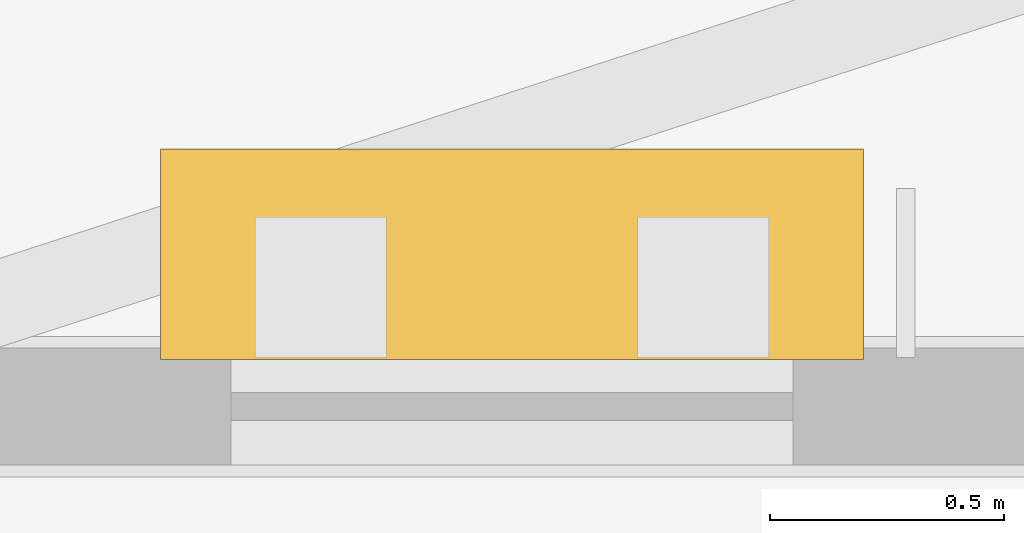
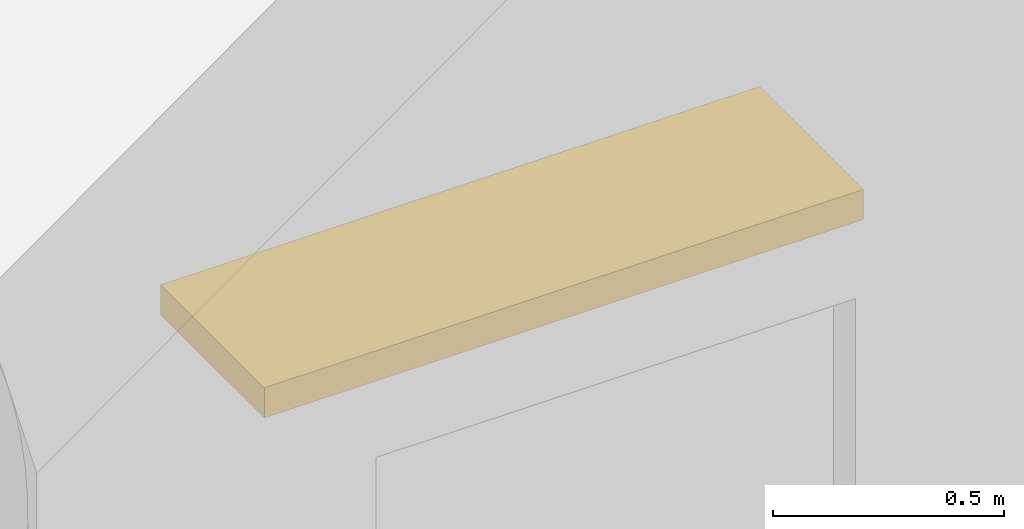
# One storey, part 123 of 123: 1 shading device.
"""IFC4 building model written with IfcOpenShell, lengths in metres."""

from ifc_helpers import new_model, si_unit, direction, frame, origin, origin_2d, place, context, subcontext, project, spatial, rectangle, extrude, material, type_object, element, save


model = new_model("IFC4")

# Units and contexts
model_context = context("Model", 3, precision=1e-05, world=origin(), true_north=direction((0.0, 1.0)))
body_context = subcontext(model_context, "Body", "Model", "MODEL_VIEW")
ifc_project = project(units=[si_unit("LENGTHUNIT", "METRE"), si_unit("AREAUNIT", "SQUARE_METRE"), si_unit("VOLUMEUNIT", "CUBIC_METRE"), si_unit("PLANEANGLEUNIT", "RADIAN"), si_unit("MASSUNIT", "GRAM", prefix="KILO")], contexts=[model_context])

# Site, building, storey
site_placement = place(None, origin())
site = spatial("IfcSite", under=ifc_project, at=site_placement, CompositionType="ELEMENT")
building_placement = place(site_placement, origin())
building = spatial("IfcBuilding", under=site, at=building_placement, Name="Tenunan Teduh Sports Hall", CompositionType="ELEMENT")
storey_placement = place(building_placement, origin())
storey = spatial("IfcBuildingStorey", under=building, at=storey_placement, Name="L00", CompositionType="ELEMENT", Elevation=0.0)

# Shading device
ifc_material = material(Name="Perforated anodised aluminium", Category="aluminium")
shading_device_type = type_object("IfcShadingDeviceType", Name="SHD-LOUVRE-1", PredefinedType="AWNING", material=ifc_material)
shading_device_placement = place(storey_placement, frame((139.77490234375, 118.324951171875, 2.719970703125), z_axis=(0.0, 0.0, 1.0), x_axis=(1.0, 0.0, 0.0)))
element("IfcShadingDevice", 1, at=shading_device_placement, inside=storey, type_object=shading_device_type, Name="SHD-L00-078", PredefinedType="AWNING", context=body_context, shape_type="SweptSolid", body=[
    extrude(rectangle(XDim=1.5, YDim=0.449951171875, at=origin_2d()), origin(), (0.0, 0.0, 1.0), 0.080078125),
])

save(model, "model.ifc")
